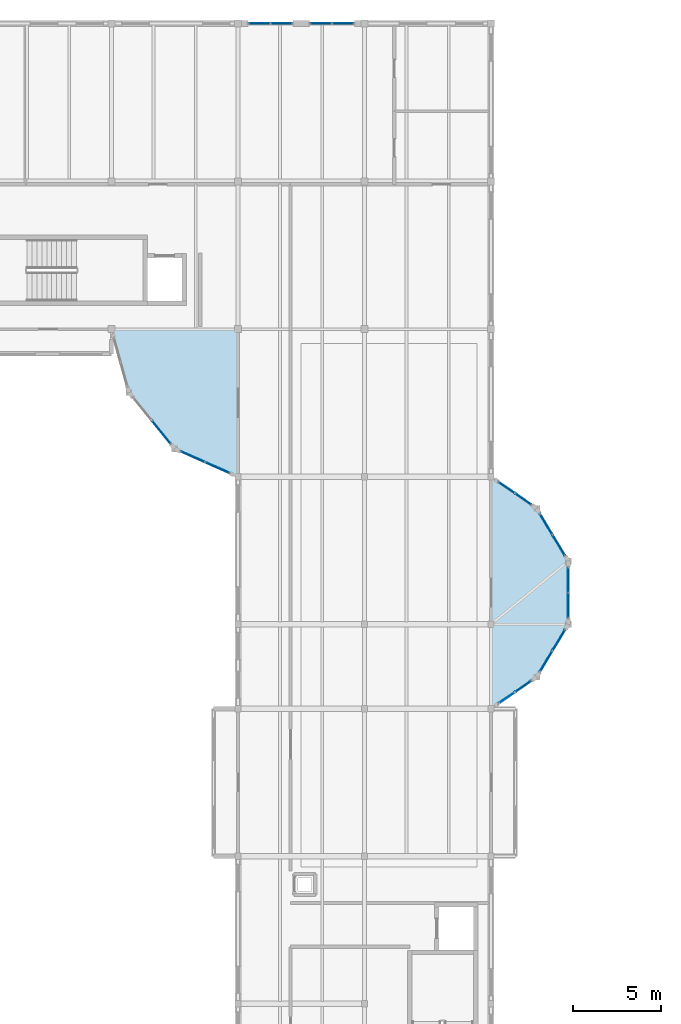
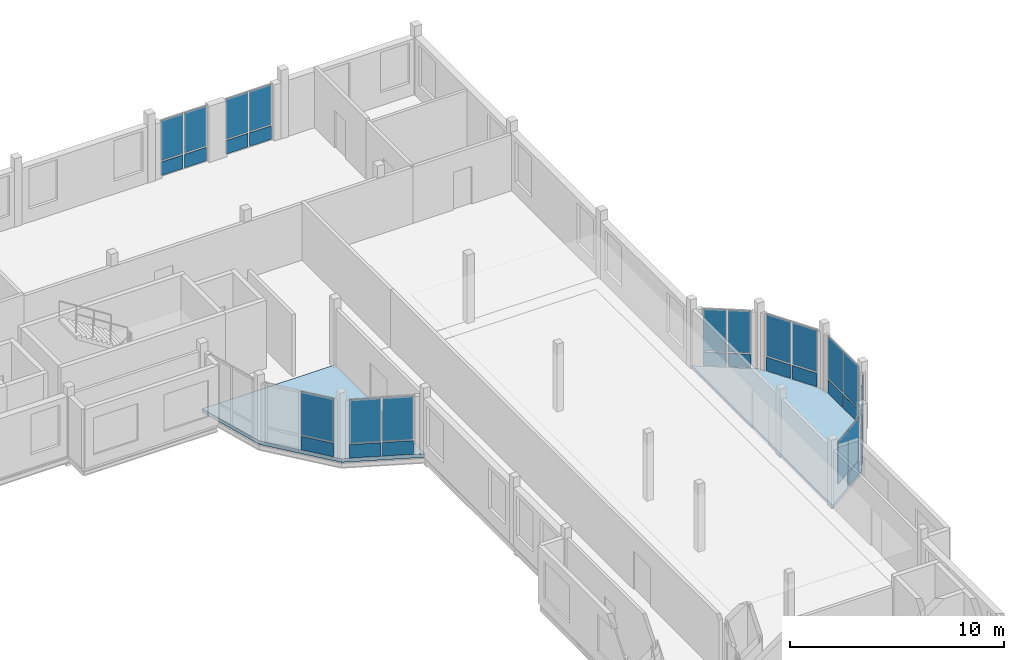
# One storey, part 22 of 34: 33 plates, 2 slabs, 9 elements without a shape of their own.
"""IFC4 building model written with IfcOpenShell, lengths in metres."""

from ifc_helpers import new_model, si_unit, direction, frame, origin, origin_2d, place, context, subcontext, project, spatial, polyline, rectangle, outline, extrude, material, layer, layer_set, type_object, element, aggregate, save


model = new_model("IFC4")

# Units and contexts
model_context = context("Model", 3, precision=1e-05, world=origin(), true_north=direction((0.0, 1.0)))
body_context = subcontext(model_context, "Body", "Model", "MODEL_VIEW")
ifc_project = project(units=[si_unit("LENGTHUNIT", "METRE"), si_unit("AREAUNIT", "SQUARE_METRE"), si_unit("VOLUMEUNIT", "CUBIC_METRE"), si_unit("PLANEANGLEUNIT", "RADIAN"), si_unit("MASSUNIT", "GRAM", prefix="KILO")], contexts=[model_context])

# Site, building, storey
site_placement = place(None, origin())
site = spatial("IfcSite", under=ifc_project, at=site_placement, CompositionType="ELEMENT")
building_placement = place(site_placement, origin())
building = spatial("IfcBuilding", under=site, at=building_placement, Name="Kahlenmark Community Centre", CompositionType="ELEMENT")
storey_placement = place(building_placement, frame((0.0, 0.0, 17.699951171875)))
storey = spatial("IfcBuildingStorey", under=building, at=storey_placement, Name="L04", CompositionType="ELEMENT", Elevation=17.699951171875)

# Curtain wall, plates
ifc_material_1 = material(Name="Anodised aluminium unitised curtain wall", Category="aluminium")
curtain_wall_type_1 = type_object("IfcCurtainWallType", Name="CWT-UNIT-232X332", PredefinedType="USERDEFINED", material=ifc_material_1)
curtain_wall_1_placement = place(storey_placement, origin())
curtain_wall_1 = element("IfcCurtainWall", 1, at=curtain_wall_1_placement, inside=storey, type_object=curtain_wall_type_1, Name="Unitised curtain wall CW-166", ObjectType="UNITISED CURTAIN WALL", PredefinedType="USERDEFINED")
ifc_material_2 = material(Name="Triple low-e solar-control glass unit", Category="glass")
ifc_layer_1 = layer(ifc_material_2, 0.0439453125)
ifc_layer_set_1 = layer_set([ifc_layer_1], Name="Triple low-e solar-control glass unit")
plate_type_1 = type_object("IfcPlateType", Name="PLT-CW-GLZ-1081X2390", PredefinedType="CURTAIN_PANEL", material=ifc_layer_set_1)
plate_1_placement = place(storey_placement, frame((87.6884765625, 76.614990234375, 0.89013671875), z_axis=(0.0, 0.0, 1.0), x_axis=(0.822190736534, 0.56921208065, 0.0)))
plate_1 = element("IfcPlate", 2, at=plate_1_placement, type_object=plate_type_1, Name="CW-166 glazed panel 1", PredefinedType="CURTAIN_PANEL", context=body_context, shape_type="SweptSolid", body=[
    extrude(rectangle(XDim=1.081298828125, YDim=0.0439453125, at=origin_2d()), origin(), (0.0, 0.0, 1.0), 2.389892578125),
])
plate_2_placement = place(storey_placement, frame((88.643310546875, 77.27587890625, 0.89013671875), z_axis=(0.0, 0.0, 1.0), x_axis=(0.822190736534, 0.56921208065, 0.0)))
plate_2 = element("IfcPlate", 3, at=plate_2_placement, type_object=plate_type_1, Name="CW-166 glazed panel 2", PredefinedType="CURTAIN_PANEL", context=body_context, shape_type="SweptSolid", body=[
    extrude(rectangle(XDim=1.081298828125, YDim=0.0439453125, at=origin_2d()), origin(), (0.0, 0.0, 1.0), 2.389892578125),
])

curtain_wall_2_placement = place(storey_placement, origin())
curtain_wall_2 = element("IfcCurtainWall", 4, at=curtain_wall_2_placement, inside=storey, type_object=curtain_wall_type_1, Name="Unitised curtain wall CW-170", ObjectType="UNITISED CURTAIN WALL", PredefinedType="USERDEFINED")
plate_3_placement = place(storey_placement, frame((88.643310546875, 87.924072265625, 0.89013671875), z_axis=(0.0, 0.0, 1.0), x_axis=(-0.822190736534, 0.56921208065, 0.0)))
plate_3 = element("IfcPlate", 5, at=plate_3_placement, type_object=plate_type_1, Name="CW-170 glazed panel 1", PredefinedType="CURTAIN_PANEL", context=body_context, shape_type="SweptSolid", body=[
    extrude(rectangle(XDim=1.081298828125, YDim=0.0439453125, at=origin_2d()), origin(), (0.0, 0.0, 1.0), 2.389892578125),
])
plate_4_placement = place(storey_placement, frame((87.6884765625, 88.5849609375, 0.89013671875), z_axis=(0.0, 0.0, 1.0), x_axis=(-0.822190736534, 0.56921208065, 0.0)))
plate_4 = element("IfcPlate", 6, at=plate_4_placement, type_object=plate_type_1, Name="CW-170 glazed panel 2", PredefinedType="CURTAIN_PANEL", context=body_context, shape_type="SweptSolid", body=[
    extrude(rectangle(XDim=1.081298828125, YDim=0.0439453125, at=origin_2d()), origin(), (0.0, 0.0, 1.0), 2.389892578125),
])

curtain_wall_type_2 = type_object("IfcCurtainWallType", Name="CWT-UNIT-254X321", PredefinedType="USERDEFINED", material=ifc_material_1)
curtain_wall_3_placement = place(storey_placement, origin())
curtain_wall_3 = element("IfcCurtainWall", 7, at=curtain_wall_3_placement, inside=storey, type_object=curtain_wall_type_2, Name="Unitised curtain wall CW-133", ObjectType="UNITISED CURTAIN WALL", PredefinedType="USERDEFINED")
ifc_layer_2 = layer(ifc_material_2, 0.0439453125)
ifc_layer_set_2 = layer_set([ifc_layer_2], Name="Triple low-e solar-control glass unit")
plate_type_2 = type_object("IfcPlateType", Name="PLT-CW-GLZ-1190X2280", PredefinedType="CURTAIN_PANEL", material=ifc_layer_set_2)
plate_5_placement = place(storey_placement, frame((78.385009765625, 115.0, 0.89013671875), z_axis=(0.0, 0.0, 1.0), x_axis=(-1.0, 0.0, 0.0)))
plate_5 = element("IfcPlate", 8, at=plate_5_placement, type_object=plate_type_2, Name="CW-133 glazed panel 1", PredefinedType="CURTAIN_PANEL", context=body_context, shape_type="SweptSolid", body=[
    extrude(rectangle(XDim=1.18994140625, YDim=0.0439453125, at=origin_2d()), origin(), (0.0, 0.0, 1.0), 2.280029296875),
])
plate_6_placement = place(storey_placement, frame((77.114990234375, 115.0, 0.89013671875), z_axis=(0.0, 0.0, 1.0), x_axis=(-1.0, 0.0, 0.0)))
plate_6 = element("IfcPlate", 9, at=plate_6_placement, type_object=plate_type_2, Name="CW-133 glazed panel 2", PredefinedType="CURTAIN_PANEL", context=body_context, shape_type="SweptSolid", body=[
    extrude(rectangle(XDim=1.18994140625, YDim=0.0439453125, at=origin_2d()), origin(), (0.0, 0.0, 1.0), 2.280029296875),
])

curtain_wall_4_placement = place(storey_placement, origin())
curtain_wall_4 = element("IfcCurtainWall", 10, at=curtain_wall_4_placement, inside=storey, type_object=curtain_wall_type_2, Name="Unitised curtain wall CW-134", ObjectType="UNITISED CURTAIN WALL", PredefinedType="USERDEFINED")
plate_7_placement = place(storey_placement, frame((74.885009765625, 115.0, 0.89013671875), z_axis=(0.0, 0.0, 1.0), x_axis=(-1.0, 0.0, 0.0)))
plate_7 = element("IfcPlate", 11, at=plate_7_placement, type_object=plate_type_2, Name="CW-134 glazed panel 1", PredefinedType="CURTAIN_PANEL", context=body_context, shape_type="SweptSolid", body=[
    extrude(rectangle(XDim=1.18994140625, YDim=0.0439453125, at=origin_2d()), origin(), (0.0, 0.0, 1.0), 2.280029296875),
])
plate_8_placement = place(storey_placement, frame((73.614990234375, 115.0, 0.89013671875), z_axis=(0.0, 0.0, 1.0), x_axis=(-1.0, 0.0, 0.0)))
plate_8 = element("IfcPlate", 12, at=plate_8_placement, type_object=plate_type_2, Name="CW-134 glazed panel 2", PredefinedType="CURTAIN_PANEL", context=body_context, shape_type="SweptSolid", body=[
    extrude(rectangle(XDim=1.18994140625, YDim=0.0439453125, at=origin_2d()), origin(), (0.0, 0.0, 1.0), 2.280029296875),
])

curtain_wall_type_3 = type_object("IfcCurtainWallType", Name="CWT-UNIT-282X332", PredefinedType="USERDEFINED", material=ifc_material_1)
curtain_wall_5_placement = place(storey_placement, origin())
curtain_wall_5 = element("IfcCurtainWall", 13, at=curtain_wall_5_placement, inside=storey, type_object=curtain_wall_type_3, Name="Unitised curtain wall CW-167", ObjectType="UNITISED CURTAIN WALL", PredefinedType="USERDEFINED")
ifc_layer_3 = layer(ifc_material_2, 0.0439453125)
ifc_layer_set_3 = layer_set([ifc_layer_3], Name="Triple low-e solar-control glass unit")
plate_type_3 = type_object("IfcPlateType", Name="PLT-CW-GLZ-1329X2390", PredefinedType="CURTAIN_PANEL", material=ifc_layer_set_3)
plate_9_placement = place(storey_placement, frame((89.9375, 78.69580078125, 0.89013671875), z_axis=(0.0, 0.0, 1.0), x_axis=(0.514496405972, 0.857492535386, 0.0)))
plate_9 = element("IfcPlate", 14, at=plate_9_placement, type_object=plate_type_3, Name="CW-167 glazed panel 1", PredefinedType="CURTAIN_PANEL", context=body_context, shape_type="SweptSolid", body=[
    extrude(rectangle(XDim=1.329345703125, YDim=0.0439453125, at=origin_2d()), origin(), (0.0, 0.0, 1.0), 2.389892578125),
])
plate_10_placement = place(storey_placement, frame((90.66259765625, 79.904296875, 0.89013671875), z_axis=(0.0, 0.0, 1.0), x_axis=(0.514496405972, 0.857492535386, 0.0)))
plate_10 = element("IfcPlate", 15, at=plate_10_placement, type_object=plate_type_3, Name="CW-167 glazed panel 2", PredefinedType="CURTAIN_PANEL", context=body_context, shape_type="SweptSolid", body=[
    extrude(rectangle(XDim=1.329345703125, YDim=0.0439453125, at=origin_2d()), origin(), (0.0, 0.0, 1.0), 2.389892578125),
])

curtain_wall_6_placement = place(storey_placement, origin())
curtain_wall_6 = element("IfcCurtainWall", 16, at=curtain_wall_6_placement, inside=storey, type_object=curtain_wall_type_3, Name="Unitised curtain wall CW-169", ObjectType="UNITISED CURTAIN WALL", PredefinedType="USERDEFINED")
plate_11_placement = place(storey_placement, frame((90.66259765625, 85.295654296875, 0.89013671875), z_axis=(0.0, 0.0, 1.0), x_axis=(-0.514496405972, 0.857492535386, 0.0)))
plate_11 = element("IfcPlate", 17, at=plate_11_placement, type_object=plate_type_3, Name="CW-169 glazed panel 1", PredefinedType="CURTAIN_PANEL", context=body_context, shape_type="SweptSolid", body=[
    extrude(rectangle(XDim=1.329345703125, YDim=0.0439453125, at=origin_2d()), origin(), (0.0, 0.0, 1.0), 2.389892578125),
])
plate_12_placement = place(storey_placement, frame((89.9375, 86.504150390625, 0.89013671875), z_axis=(0.0, 0.0, 1.0), x_axis=(-0.514496405972, 0.857492535386, 0.0)))
plate_12 = element("IfcPlate", 18, at=plate_12_placement, type_object=plate_type_3, Name="CW-169 glazed panel 2", PredefinedType="CURTAIN_PANEL", context=body_context, shape_type="SweptSolid", body=[
    extrude(rectangle(XDim=1.329345703125, YDim=0.0439453125, at=origin_2d()), origin(), (0.0, 0.0, 1.0), 2.389892578125),
])

curtain_wall_type_4 = type_object("IfcCurtainWallType", Name="CWT-UNIT-292X332", PredefinedType="USERDEFINED", material=ifc_material_1)
curtain_wall_7_placement = place(storey_placement, origin())
curtain_wall_7 = element("IfcCurtainWall", 19, at=curtain_wall_7_placement, inside=storey, type_object=curtain_wall_type_4, Name="Unitised curtain wall CW-168", ObjectType="UNITISED CURTAIN WALL", PredefinedType="USERDEFINED")
ifc_layer_4 = layer(ifc_material_2, 0.0439453125)
ifc_layer_set_4 = layer_set([ifc_layer_4], Name="Triple low-e solar-control glass unit")
plate_type_4 = type_object("IfcPlateType", Name="PLT-CW-GLZ-1380X2390", PredefinedType="CURTAIN_PANEL", material=ifc_layer_set_4)
plate_13_placement = place(storey_placement, frame((91.199951171875, 81.8701171875, 0.89013671875), z_axis=(0.0, 0.0, 1.0), x_axis=(0.0, 1.0, 0.0)))
plate_13 = element("IfcPlate", 20, at=plate_13_placement, type_object=plate_type_4, Name="CW-168 glazed panel 1", PredefinedType="CURTAIN_PANEL", context=body_context, shape_type="SweptSolid", body=[
    extrude(rectangle(XDim=1.3798828125, YDim=0.0439453125, at=origin_2d()), origin(), (0.0, 0.0, 1.0), 2.389892578125),
])
plate_14_placement = place(storey_placement, frame((91.199951171875, 83.330078125, 0.89013671875), z_axis=(0.0, 0.0, 1.0), x_axis=(0.0, 1.0, 0.0)))
plate_14 = element("IfcPlate", 21, at=plate_14_placement, type_object=plate_type_4, Name="CW-168 glazed panel 2", PredefinedType="CURTAIN_PANEL", context=body_context, shape_type="SweptSolid", body=[
    extrude(rectangle(XDim=1.3798828125, YDim=0.0439453125, at=origin_2d()), origin(), (0.0, 0.0, 1.0), 2.389892578125),
])

curtain_wall_type_5 = type_object("IfcCurtainWallType", Name="CWT-UNIT-310X339", PredefinedType="USERDEFINED", material=ifc_material_1)
curtain_wall_8_placement = place(storey_placement, origin())
curtain_wall_8 = element("IfcCurtainWall", 22, at=curtain_wall_8_placement, inside=storey, type_object=curtain_wall_type_5, Name="Unitised curtain wall CW-187", ObjectType="UNITISED CURTAIN WALL", PredefinedType="USERDEFINED")
ifc_layer_5 = layer(ifc_material_2, 0.0439453125)
ifc_layer_set_5 = layer_set([ifc_layer_5], Name="Triple low-e solar-control glass unit")
plate_type_5 = type_object("IfcPlateType", Name="PLT-CW-GLZ-1470X2460", PredefinedType="CURTAIN_PANEL", material=ifc_layer_set_5)
plate_15_placement = place(storey_placement, frame((69.81884765625, 90.34716796875, 0.89013671875), z_axis=(0.0, 0.0, 1.0), x_axis=(0.913817141143, -0.406125882643, 0.0)))
plate_15 = element("IfcPlate", 23, at=plate_15_placement, type_object=plate_type_5, Name="CW-187 glazed panel 1", PredefinedType="CURTAIN_PANEL", context=body_context, shape_type="SweptSolid", body=[
    extrude(rectangle(XDim=1.4697265625, YDim=0.0439453125, at=origin_2d()), origin(), (0.0, 0.0, 1.0), 2.4599609375),
])
plate_16_placement = place(storey_placement, frame((71.235107421875, 89.7177734375, 0.89013671875), z_axis=(0.0, 0.0, 1.0), x_axis=(0.913817141143, -0.406125882643, 0.0)))
plate_16 = element("IfcPlate", 24, at=plate_16_placement, type_object=plate_type_5, Name="CW-187 glazed panel 2", PredefinedType="CURTAIN_PANEL", context=body_context, shape_type="SweptSolid", body=[
    extrude(rectangle(XDim=1.4697265625, YDim=0.0439453125, at=origin_2d()), origin(), (0.0, 0.0, 1.0), 2.4599609375),
])

# Curtain wall, plate
curtain_wall_type_6 = type_object("IfcCurtainWallType", Name="CWT-UNIT-344X339", PredefinedType="USERDEFINED", material=ifc_material_1)
curtain_wall_9_placement = place(storey_placement, origin())
curtain_wall_9 = element("IfcCurtainWall", 25, at=curtain_wall_9_placement, inside=storey, type_object=curtain_wall_type_6, Name="Unitised curtain wall CW-186", ObjectType="UNITISED CURTAIN WALL", PredefinedType="USERDEFINED")
ifc_layer_6 = layer(ifc_material_2, 0.0439453125)
ifc_layer_set_6 = layer_set([ifc_layer_6], Name="Triple low-e solar-control glass unit")
plate_type_6 = type_object("IfcPlateType", Name="PLT-CW-GLZ-1642X2460", PredefinedType="CURTAIN_PANEL", material=ifc_layer_set_6)
plate_17_placement = place(storey_placement, frame((68.042724609375, 91.73193359375, 0.89013671875), z_axis=(0.0, 0.0, 1.0), x_axis=(0.63059860029, -0.776109145231, 0.0)))
plate_17 = element("IfcPlate", 26, at=plate_17_placement, type_object=plate_type_6, Name="CW-186 glazed panel 2", PredefinedType="CURTAIN_PANEL", context=body_context, shape_type="SweptSolid", body=[
    extrude(rectangle(XDim=1.6416015625, YDim=0.0439453125, at=origin_2d()), origin(), (0.0, 0.0, 1.0), 2.4599609375),
])

# Plate
ifc_material_3 = material(Name="Warm terracotta insulated spandrel cassette", Category="masonry")
ifc_layer_7 = layer(ifc_material_3, 0.06005859375)
ifc_layer_set_7 = layer_set([ifc_layer_7], Name="Warm terracotta insulated spandrel cassette")
plate_type_7 = type_object("IfcPlateType", Name="PLT-CW-SPD-1081X770", PredefinedType="CURTAIN_PANEL", material=ifc_layer_set_7)
plate_18_placement = place(storey_placement, frame((88.643310546875, 77.27587890625, 0.0400390625), z_axis=(0.0, 0.0, 1.0), x_axis=(0.822190736534, 0.56921208065, 0.0)))
plate_18 = element("IfcPlate", 27, at=plate_18_placement, type_object=plate_type_7, Name="CW-166 spandrel 2", PredefinedType="CURTAIN_PANEL", context=body_context, shape_type="SweptSolid", body=[
    extrude(rectangle(XDim=1.081298828125, YDim=0.06005859375, at=origin_2d()), origin(), (0.0, 0.0, 1.0), 0.77001953125),
])

aggregate(curtain_wall_1, [plate_1, plate_18, plate_2])

plate_19_placement = place(storey_placement, frame((88.643310546875, 87.924072265625, 0.0400390625), z_axis=(0.0, 0.0, 1.0), x_axis=(-0.822190736534, 0.56921208065, 0.0)))
plate_19 = element("IfcPlate", 28, at=plate_19_placement, type_object=plate_type_7, Name="CW-170 spandrel 1", PredefinedType="CURTAIN_PANEL", context=body_context, shape_type="SweptSolid", body=[
    extrude(rectangle(XDim=1.081298828125, YDim=0.06005859375, at=origin_2d()), origin(), (0.0, 0.0, 1.0), 0.77001953125),
])

plate_20_placement = place(storey_placement, frame((87.6884765625, 88.5849609375, 0.0400390625), z_axis=(0.0, 0.0, 1.0), x_axis=(-0.822190736534, 0.56921208065, 0.0)))
plate_20 = element("IfcPlate", 29, at=plate_20_placement, type_object=plate_type_7, Name="CW-170 spandrel 2", PredefinedType="CURTAIN_PANEL", context=body_context, shape_type="SweptSolid", body=[
    extrude(rectangle(XDim=1.081298828125, YDim=0.06005859375, at=origin_2d()), origin(), (0.0, 0.0, 1.0), 0.77001953125),
])

aggregate(curtain_wall_2, [plate_19, plate_3, plate_20, plate_4])

ifc_layer_8 = layer(ifc_material_3, 0.06005859375)
ifc_layer_set_8 = layer_set([ifc_layer_8], Name="Warm terracotta insulated spandrel cassette")
plate_type_8 = type_object("IfcPlateType", Name="PLT-CW-SPD-1190X770", PredefinedType="CURTAIN_PANEL", material=ifc_layer_set_8)
plate_21_placement = place(storey_placement, frame((78.385009765625, 115.0, 0.0400390625), z_axis=(0.0, 0.0, 1.0), x_axis=(-1.0, 0.0, 0.0)))
plate_21 = element("IfcPlate", 30, at=plate_21_placement, type_object=plate_type_8, Name="CW-133 spandrel 1", PredefinedType="CURTAIN_PANEL", context=body_context, shape_type="SweptSolid", body=[
    extrude(rectangle(XDim=1.18994140625, YDim=0.06005859375, at=origin_2d()), origin(), (0.0, 0.0, 1.0), 0.77001953125),
])

plate_22_placement = place(storey_placement, frame((77.114990234375, 115.0, 0.0400390625), z_axis=(0.0, 0.0, 1.0), x_axis=(-1.0, 0.0, 0.0)))
plate_22 = element("IfcPlate", 31, at=plate_22_placement, type_object=plate_type_8, Name="CW-133 spandrel 2", PredefinedType="CURTAIN_PANEL", context=body_context, shape_type="SweptSolid", body=[
    extrude(rectangle(XDim=1.18994140625, YDim=0.06005859375, at=origin_2d()), origin(), (0.0, 0.0, 1.0), 0.77001953125),
])

aggregate(curtain_wall_3, [plate_21, plate_5, plate_22, plate_6])

plate_23_placement = place(storey_placement, frame((74.885009765625, 115.0, 0.0400390625), z_axis=(0.0, 0.0, 1.0), x_axis=(-1.0, 0.0, 0.0)))
plate_23 = element("IfcPlate", 32, at=plate_23_placement, type_object=plate_type_8, Name="CW-134 spandrel 1", PredefinedType="CURTAIN_PANEL", context=body_context, shape_type="SweptSolid", body=[
    extrude(rectangle(XDim=1.18994140625, YDim=0.06005859375, at=origin_2d()), origin(), (0.0, 0.0, 1.0), 0.77001953125),
])

plate_24_placement = place(storey_placement, frame((73.614990234375, 115.0, 0.0400390625), z_axis=(0.0, 0.0, 1.0), x_axis=(-1.0, 0.0, 0.0)))
plate_24 = element("IfcPlate", 33, at=plate_24_placement, type_object=plate_type_8, Name="CW-134 spandrel 2", PredefinedType="CURTAIN_PANEL", context=body_context, shape_type="SweptSolid", body=[
    extrude(rectangle(XDim=1.18994140625, YDim=0.06005859375, at=origin_2d()), origin(), (0.0, 0.0, 1.0), 0.77001953125),
])

aggregate(curtain_wall_4, [plate_23, plate_7, plate_24, plate_8])

ifc_layer_9 = layer(ifc_material_3, 0.06005859375)
ifc_layer_set_9 = layer_set([ifc_layer_9], Name="Warm terracotta insulated spandrel cassette")
plate_type_9 = type_object("IfcPlateType", Name="PLT-CW-SPD-1329X770", PredefinedType="CURTAIN_PANEL", material=ifc_layer_set_9)
plate_25_placement = place(storey_placement, frame((89.9375, 78.69580078125, 0.0400390625), z_axis=(0.0, 0.0, 1.0), x_axis=(0.514496405972, 0.857492535386, 0.0)))
plate_25 = element("IfcPlate", 34, at=plate_25_placement, type_object=plate_type_9, Name="CW-167 spandrel 1", PredefinedType="CURTAIN_PANEL", context=body_context, shape_type="SweptSolid", body=[
    extrude(rectangle(XDim=1.329345703125, YDim=0.06005859375, at=origin_2d()), origin(), (0.0, 0.0, 1.0), 0.77001953125),
])

plate_26_placement = place(storey_placement, frame((90.66259765625, 79.904296875, 0.0400390625), z_axis=(0.0, 0.0, 1.0), x_axis=(0.514496405972, 0.857492535386, 0.0)))
plate_26 = element("IfcPlate", 35, at=plate_26_placement, type_object=plate_type_9, Name="CW-167 spandrel 2", PredefinedType="CURTAIN_PANEL", context=body_context, shape_type="SweptSolid", body=[
    extrude(rectangle(XDim=1.329345703125, YDim=0.06005859375, at=origin_2d()), origin(), (0.0, 0.0, 1.0), 0.77001953125),
])

aggregate(curtain_wall_5, [plate_25, plate_9, plate_26, plate_10])

plate_27_placement = place(storey_placement, frame((90.66259765625, 85.295654296875, 0.0400390625), z_axis=(0.0, 0.0, 1.0), x_axis=(-0.514496405972, 0.857492535386, 0.0)))
plate_27 = element("IfcPlate", 36, at=plate_27_placement, type_object=plate_type_9, Name="CW-169 spandrel 1", PredefinedType="CURTAIN_PANEL", context=body_context, shape_type="SweptSolid", body=[
    extrude(rectangle(XDim=1.329345703125, YDim=0.06005859375, at=origin_2d()), origin(), (0.0, 0.0, 1.0), 0.77001953125),
])

plate_28_placement = place(storey_placement, frame((89.9375, 86.504150390625, 0.0400390625), z_axis=(0.0, 0.0, 1.0), x_axis=(-0.514496405972, 0.857492535386, 0.0)))
plate_28 = element("IfcPlate", 37, at=plate_28_placement, type_object=plate_type_9, Name="CW-169 spandrel 2", PredefinedType="CURTAIN_PANEL", context=body_context, shape_type="SweptSolid", body=[
    extrude(rectangle(XDim=1.329345703125, YDim=0.06005859375, at=origin_2d()), origin(), (0.0, 0.0, 1.0), 0.77001953125),
])

aggregate(curtain_wall_6, [plate_27, plate_11, plate_28, plate_12])

ifc_layer_10 = layer(ifc_material_3, 0.06005859375)
ifc_layer_set_10 = layer_set([ifc_layer_10], Name="Warm terracotta insulated spandrel cassette")
plate_type_10 = type_object("IfcPlateType", Name="PLT-CW-SPD-1380X770", PredefinedType="CURTAIN_PANEL", material=ifc_layer_set_10)
plate_29_placement = place(storey_placement, frame((91.199951171875, 81.8701171875, 0.0400390625), z_axis=(0.0, 0.0, 1.0), x_axis=(0.0, 1.0, 0.0)))
plate_29 = element("IfcPlate", 38, at=plate_29_placement, type_object=plate_type_10, Name="CW-168 spandrel 1", PredefinedType="CURTAIN_PANEL", context=body_context, shape_type="SweptSolid", body=[
    extrude(rectangle(XDim=1.3798828125, YDim=0.06005859375, at=origin_2d()), origin(), (0.0, 0.0, 1.0), 0.77001953125),
])

plate_30_placement = place(storey_placement, frame((91.199951171875, 83.330078125, 0.0400390625), z_axis=(0.0, 0.0, 1.0), x_axis=(0.0, 1.0, 0.0)))
plate_30 = element("IfcPlate", 39, at=plate_30_placement, type_object=plate_type_10, Name="CW-168 spandrel 2", PredefinedType="CURTAIN_PANEL", context=body_context, shape_type="SweptSolid", body=[
    extrude(rectangle(XDim=1.3798828125, YDim=0.06005859375, at=origin_2d()), origin(), (0.0, 0.0, 1.0), 0.77001953125),
])

aggregate(curtain_wall_7, [plate_29, plate_13, plate_30, plate_14])

ifc_layer_11 = layer(ifc_material_3, 0.06005859375)
ifc_layer_set_11 = layer_set([ifc_layer_11], Name="Warm terracotta insulated spandrel cassette")
plate_type_11 = type_object("IfcPlateType", Name="PLT-CW-SPD-1470X770", PredefinedType="CURTAIN_PANEL", material=ifc_layer_set_11)
plate_31_placement = place(storey_placement, frame((69.81884765625, 90.34716796875, 0.0400390625), z_axis=(0.0, 0.0, 1.0), x_axis=(0.913817141143, -0.406125882643, 0.0)))
plate_31 = element("IfcPlate", 40, at=plate_31_placement, type_object=plate_type_11, Name="CW-187 spandrel 1", PredefinedType="CURTAIN_PANEL", context=body_context, shape_type="SweptSolid", body=[
    extrude(rectangle(XDim=1.4697265625, YDim=0.06005859375, at=origin_2d()), origin(), (0.0, 0.0, 1.0), 0.77001953125),
])

plate_32_placement = place(storey_placement, frame((71.235107421875, 89.7177734375, 0.0400390625), z_axis=(0.0, 0.0, 1.0), x_axis=(0.913817141143, -0.406125882643, 0.0)))
plate_32 = element("IfcPlate", 41, at=plate_32_placement, type_object=plate_type_11, Name="CW-187 spandrel 2", PredefinedType="CURTAIN_PANEL", context=body_context, shape_type="SweptSolid", body=[
    extrude(rectangle(XDim=1.4697265625, YDim=0.06005859375, at=origin_2d()), origin(), (0.0, 0.0, 1.0), 0.77001953125),
])

aggregate(curtain_wall_8, [plate_31, plate_15, plate_32, plate_16])

ifc_layer_12 = layer(ifc_material_3, 0.06005859375)
ifc_layer_set_12 = layer_set([ifc_layer_12], Name="Warm terracotta insulated spandrel cassette")
plate_type_12 = type_object("IfcPlateType", Name="PLT-CW-SPD-1642X770", PredefinedType="CURTAIN_PANEL", material=ifc_layer_set_12)
plate_33_placement = place(storey_placement, frame((68.042724609375, 91.73193359375, 0.0400390625), z_axis=(0.0, 0.0, 1.0), x_axis=(0.63059860029, -0.776109145231, 0.0)))
plate_33 = element("IfcPlate", 42, at=plate_33_placement, type_object=plate_type_12, Name="CW-186 spandrel 2", PredefinedType="CURTAIN_PANEL", context=body_context, shape_type="SweptSolid", body=[
    extrude(rectangle(XDim=1.6416015625, YDim=0.06005859375, at=origin_2d()), origin(), (0.0, 0.0, 1.0), 0.77001953125),
])

aggregate(curtain_wall_9, [plate_33, plate_17])

# Slabs
ifc_material_4 = material(Name="Cross-laminated timber CLT C24", Category="wood")
ifc_layer_13 = layer(ifc_material_4, 0.199951171875)
ifc_layer_set_13 = layer_set([ifc_layer_13], Name="Cross-laminated timber CLT C24")
slab_type = type_object("IfcSlabType", Name="ST-FL-CLT200", PredefinedType="FLOOR", material=ifc_layer_set_13)
slab_1_placement = place(storey_placement, frame((0.0, 0.0, -0.199951171875)))
element("IfcSlab", 43, at=slab_1_placement, inside=storey, type_object=slab_type, Name="L04 East Square Postmodern Library Reading Rotunda floor slab", PredefinedType="FLOOR", context=body_context, shape_type="SweptSolid", body=[
    extrude(outline(polyline([(86.800048828125, 76.0), (89.39990234375, 77.800048828125), (91.199951171875, 80.800048828125), (91.199951171875, 84.39990234375), (89.39990234375, 87.39990234375), (86.800048828125, 89.199951171875), (86.800048828125, 76.0)])), origin(), (0.0, 0.0, 1.0), 0.199951171875),
])
slab_2_placement = place(storey_placement, frame((0.0, 0.0, -0.199951171875)))
element("IfcSlab", 44, at=slab_2_placement, inside=storey, type_object=slab_type, Name="L04 Central Courtyard Postmodern Faceted Rotunda Foyer floor slab", PredefinedType="FLOOR", context=body_context, shape_type="SweptSolid", body=[
    extrude(outline(polyline([(65.199951171875, 97.60009765625), (66.199951171875, 94.0), (68.800048828125, 90.800048828125), (72.39990234375, 89.199951171875), (72.39990234375, 97.60009765625), (65.199951171875, 97.60009765625)])), origin(), (0.0, 0.0, 1.0), 0.199951171875),
])

save(model, "model.ifc")
